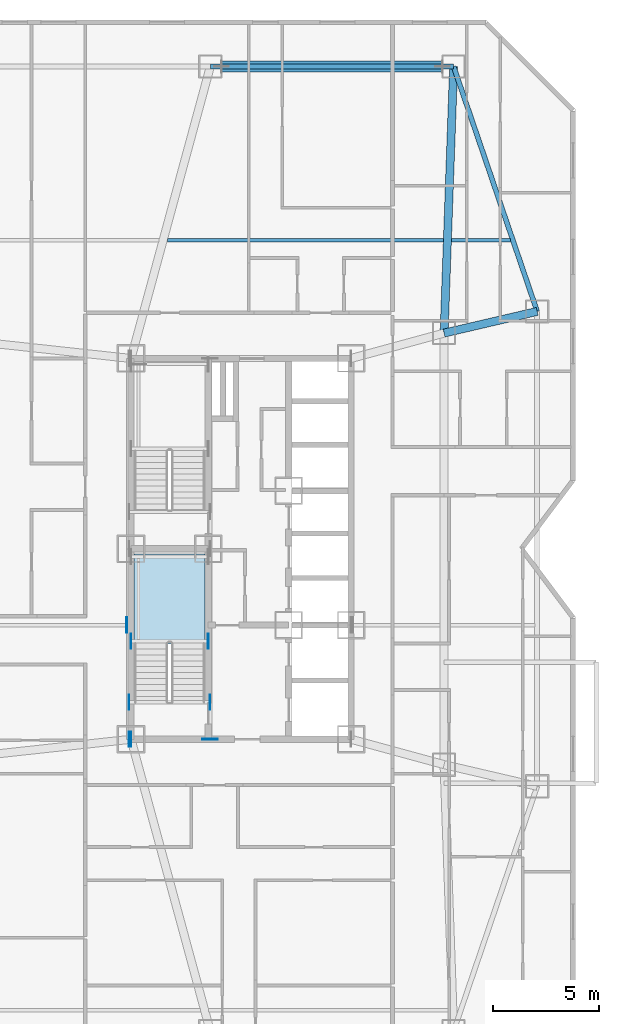
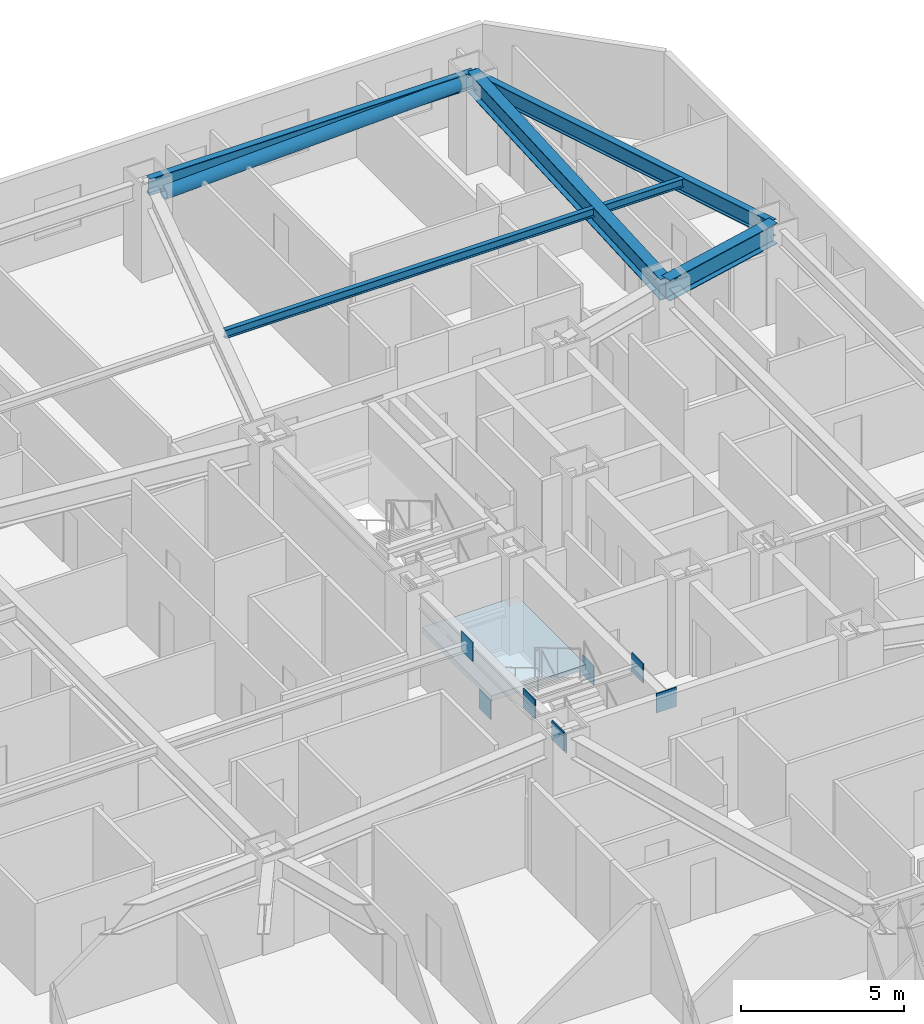
# One storey, part 2 of 14: 8 plates, 6 beams, 1 member, 1 slab, 1 element without a shape of its own.
"""IFC4 building model written with IfcOpenShell, lengths in metres."""

from ifc_helpers import new_model, si_unit, direction, frame, origin, origin_2d, place, context, subcontext, project, spatial, polyline, rectangle, hollow_circle, i_section, outline, extrude, material, layer, layer_set, material_profile, profile_set, type_object, element, aggregate, save


model = new_model("IFC4")

# Units and contexts
model_context = context("Model", 3, precision=1e-05, world=origin(), true_north=direction((0.0, 1.0)))
body_context = subcontext(model_context, "Body", "Model", "MODEL_VIEW")
ifc_project = project(units=[si_unit("LENGTHUNIT", "METRE"), si_unit("AREAUNIT", "SQUARE_METRE"), si_unit("VOLUMEUNIT", "CUBIC_METRE"), si_unit("PLANEANGLEUNIT", "RADIAN"), si_unit("MASSUNIT", "GRAM", prefix="KILO")], contexts=[model_context])

# Site, building, storey
site_placement = place(None, origin())
site = spatial("IfcSite", under=ifc_project, at=site_placement, CompositionType="ELEMENT")
building_placement = place(site_placement, origin())
building = spatial("IfcBuilding", under=site, at=building_placement, Name="Khamvora Tower", CompositionType="ELEMENT")
storey_placement = place(building_placement, frame((0.0, 0.0, 51.550048828125)))
storey = spatial("IfcBuildingStorey", under=building, at=storey_placement, Name="L12", CompositionType="ELEMENT", Elevation=51.550048828125)

# Beams
ifc_material_1 = material(Name="Steel S355", Category="steel")
ifc_material_profile_1 = material_profile(ifc_material_1, i_section(OverallWidth=0.166015625, OverallDepth=0.31298828125, WebThickness=0.007080078125, FlangeThickness=0.010986328125, FilletRadius=0.010009765625, at=origin_2d()), Name="W310x45")
ifc_profile_set_1 = profile_set([ifc_material_profile_1], Name="Steel S355")
beam_type_1 = type_object("IfcBeamType", Name="BM-JS-W310x45", PredefinedType="JOIST", material=ifc_profile_set_1)
beam_1_placement = place(storey_placement, frame((30.714111328125, 42.60009765625, 3.27294921875), z_axis=(1.0, 0.0, 0.0), x_axis=(0.0, 1.0, 0.0)))
element("IfcBeam", 1, at=beam_1_placement, inside=storey, type_object=beam_type_1, Name="L12 secondary floor joist 10", PredefinedType="JOIST", context=body_context, shape_type="SweptSolid", body=[
    extrude(i_section(OverallWidth=0.166015625, OverallDepth=0.31298828125, WebThickness=0.007080078125, FlangeThickness=0.010986328125, FilletRadius=0.010009765625, at=origin_2d()), origin(), (0.0, 0.0, 1.0), 13.057861328125),
])
beam_2_placement = place(storey_placement, frame((44.14306640625, 42.60009765625, 3.27294921875), z_axis=(1.0, 0.0, 0.0), x_axis=(0.0, 1.0, 0.0)))
element("IfcBeam", 2, at=beam_2_placement, inside=storey, type_object=beam_type_1, Name="L12 secondary floor joist 11", PredefinedType="JOIST", context=body_context, shape_type="SweptSolid", body=[
    extrude(i_section(OverallWidth=0.166015625, OverallDepth=0.31298828125, WebThickness=0.007080078125, FlangeThickness=0.010986328125, FilletRadius=0.010009765625, at=origin_2d()), origin(), (0.0, 0.0, 1.0), 2.788818359375),
])
ifc_material_profile_2 = material_profile(ifc_material_1, i_section(OverallWidth=0.381103515625, OverallDepth=0.77294921875, WebThickness=0.01708984375, FlangeThickness=0.027099609375, FilletRadius=0.01806640625, at=origin_2d()), Name="W760x257")
ifc_profile_set_2 = profile_set([ifc_material_profile_2], Name="Steel S355")
beam_type_2 = type_object("IfcBeamType", Name="BM-PG-W760x257", PredefinedType="BEAM", material=ifc_profile_set_2)
beam_3_placement = place(storey_placement, frame((43.800048828125, 38.199951171875, 3.04296875), z_axis=(0.035687386423, 0.999363002342, 0.0), x_axis=(-0.999363002342, 0.035687386423, 0.0)))
element("IfcBeam", 3, at=beam_3_placement, inside=storey, type_object=beam_type_2, Name="L12 primary floor girder N4", PredefinedType="BEAM", context=body_context, shape_type="SweptSolid", body=[
    extrude(i_section(OverallWidth=0.381103515625, OverallDepth=0.77294921875, WebThickness=0.01708984375, FlangeThickness=0.027099609375, FilletRadius=0.01806640625, at=origin_2d()), origin(), (0.0, 0.0, 1.0), 12.608154296875),
])
beam_4_placement = place(storey_placement, frame((43.800048828125, 38.199951171875, 3.04296875), z_axis=(0.973914503503, 0.226915270237, 0.0), x_axis=(-0.226915270237, 0.973914503503, 0.0)))
element("IfcBeam", 4, at=beam_4_placement, inside=storey, type_object=beam_type_2, Name="L12 primary floor girder E2", PredefinedType="BEAM", context=body_context, shape_type="SweptSolid", body=[
    extrude(i_section(OverallWidth=0.381103515625, OverallDepth=0.77294921875, WebThickness=0.01708984375, FlangeThickness=0.027099609375, FilletRadius=0.01806640625, at=origin_2d()), origin(), (0.0, 0.0, 1.0), 4.517822265625),
])
ifc_material_profile_3 = material_profile(ifc_material_1, i_section(OverallWidth=0.22998046875, OverallDepth=0.616943359375, WebThickness=0.012939453125, FlangeThickness=0.02197265625, FilletRadius=0.013916015625, at=origin_2d()), Name="W610x140")
ifc_profile_set_3 = profile_set([ifc_material_profile_3], Name="Steel S355")
beam_type_3 = type_object("IfcBeamType", Name="BM-SP-W610x140", PredefinedType="SPANDREL", material=ifc_profile_set_3)
beam_5_placement = place(storey_placement, frame((48.199951171875, 39.22509765625, 3.120849609375), z_axis=(-0.322962893199, 0.946411628002, 0.0), x_axis=(-0.946411628002, -0.322962893199, 0.0)))
element("IfcBeam", 5, at=beam_5_placement, inside=storey, type_object=beam_type_3, Name="L12 perimeter spandrel beam E2-N4", PredefinedType="SPANDREL", context=body_context, shape_type="SweptSolid", body=[
    extrude(i_section(OverallWidth=0.22998046875, OverallDepth=0.616943359375, WebThickness=0.012939453125, FlangeThickness=0.02197265625, FilletRadius=0.013916015625, at=origin_2d()), origin(), (0.0, 0.0, 1.0), 12.23046875),
])
beam_6_placement = place(storey_placement, frame((44.25, 50.800048828125, 3.120849609375), z_axis=(-1.0, 0.0, 0.0), x_axis=(0.0, -1.0, 0.0)))
element("IfcBeam", 6, at=beam_6_placement, inside=storey, type_object=beam_type_3, Name="L12 perimeter spandrel beam N4-N3", PredefinedType="SPANDREL", context=body_context, shape_type="SweptSolid", body=[
    extrude(i_section(OverallWidth=0.22998046875, OverallDepth=0.616943359375, WebThickness=0.012939453125, FlangeThickness=0.02197265625, FilletRadius=0.013916015625, at=origin_2d()), origin(), (0.0, 0.0, 1.0), 11.5),
])

# Member
ifc_material_2 = material(Name="Steel S460", Category="steel")
ifc_material_profile_4 = material_profile(ifc_material_2, hollow_circle(Radius=0.25390625, WallThickness=0.02490234375, at=origin_2d()), Name="CHS508x25")
ifc_profile_set_4 = profile_set([ifc_material_profile_4], Name="Steel S460")
member_type = type_object("IfcMemberType", Name="MEM-BR-CHS508", PredefinedType="BRACE", material=ifc_profile_set_4)
member_placement = place(storey_placement, frame((33.280029296875, 50.800048828125, 2.699951171875), z_axis=(0.999263588849, 0.0, 0.038370301036), x_axis=(0.0, 1.0, 0.0)))
element("IfcMember", 7, at=member_placement, inside=storey, type_object=member_type, Name="L12 perimeter wind brace 2", PredefinedType="BRACE", context=body_context, shape_type="SweptSolid", body=[
    extrude(hollow_circle(Radius=0.25390625, WallThickness=0.02490234375, at=origin_2d()), origin(), (0.0, 0.0, 1.0), 10.44775390625),
])

# Plates
ifc_layer_1 = layer(ifc_material_2, 0.034912109375)
ifc_layer_set_1 = layer_set([ifc_layer_1], Name="Steel S460")
plate_type = type_object("IfcPlateType", Name="PL-EMB-35", PredefinedType="SHEET", material=ifc_layer_set_1)
for number, where, z_axis, x_axis, name in (
    (8, (29.0, 23.635009765625, 1.1337890625), (0.0, 0.0, 1.0), (1.0, 0.0, 0.0), "L12 core shear wall cast-in embed plate 0366"),
    (9, (32.64990234375, 23.635009765625, 1.1337890625), (0.0, 0.0, 1.0), (1.0, 0.0, 0.0), "L12 core shear wall cast-in embed plate 0367"),
    (10, (29.0, 19.0, 2.68310546875), (0.0, 0.0, 1.0), (1.0, 0.0, 0.0), "L12 core shear wall cast-in embed plate 0375"),
    (11, (28.89990234375, 19.0, 2.802734375), (0.0, 0.0, 1.0), (1.0, 0.0, 0.0), "L12 core shear wall cast-in embed plate 0379"),
):
    element("IfcPlate", number, at=place(storey_placement, frame(where, z_axis=z_axis, x_axis=x_axis)), inside=storey, type_object=plate_type, Name=name, PredefinedType="SHEET", context=body_context, shape_type="SweptSolid", body=[
        extrude(rectangle(XDim=0.034912109375, YDim=0.719970703125, at=origin_2d()), origin(), (0.0, 0.0, 1.0), 0.719970703125),
    ])
plate_placement = place(storey_placement, frame((32.72998046875, 19.0, 2.802734375), z_axis=(0.0, 0.0, 1.0), x_axis=(1.0, 0.0, 0.0)))
element("IfcPlate", 12, at=plate_placement, inside=storey, type_object=plate_type, Name="L12 core shear wall cast-in embed plate 0382", PredefinedType="SHEET", context=body_context, shape_type="SweptSolid", body=[
    extrude(rectangle(XDim=0.719970703125, YDim=0.034912109375, at=origin_2d()), origin(), (0.0, 0.0, 1.0), 0.719970703125),
])
for number, where, z_axis, x_axis, name in (
    (13, (28.89990234375, 20.75, 2.94384765625), (0.0, 0.0, 1.0), (1.0, 0.0, 0.0), "L12 core shear wall cast-in embed plate 0388"),
    (14, (32.72998046875, 20.75, 2.94384765625), (0.0, 0.0, 1.0), (1.0, 0.0, 0.0), "L12 core shear wall cast-in embed plate 0389"),
    (15, (28.800048828125, 24.39990234375, 2.9130859375), (0.0, 0.0, 1.0), (1.0, 0.0, 0.0), "L12 core shear wall cast-in embed plate 0392"),
):
    element("IfcPlate", number, at=place(storey_placement, frame(where, z_axis=z_axis, x_axis=x_axis)), inside=storey, type_object=plate_type, Name=name, PredefinedType="SHEET", context=body_context, shape_type="SweptSolid", body=[
        extrude(rectangle(XDim=0.034912109375, YDim=0.719970703125, at=origin_2d()), origin(), (0.0, 0.0, 1.0), 0.719970703125),
    ])

# Stair, slab
ifc_material_3 = material(Name="Concrete C40/50", Category="concrete")
stair_type = type_object("IfcStairType", Name="STR-ST-01", PredefinedType="HALF_TURN_STAIR", material=ifc_material_3)
stair_placement = place(storey_placement, origin())
stair = element("IfcStair", 16, at=stair_placement, inside=storey, type_object=stair_type, Name="L12 South Tower Exit Stair ST-01", PredefinedType="HALF_TURN_STAIR")
ifc_layer_2 = layer(ifc_material_3, 0.199951171875)
ifc_layer_set_2 = layer_set([ifc_layer_2], Name="Concrete C40/50")
slab_type = type_object("IfcSlabType", Name="SLB-LND-200", PredefinedType="LANDING", material=ifc_layer_set_2)
slab_placement = place(storey_placement, frame((0.0, 0.0, 1.625)))
slab = element("IfcSlab", 17, at=slab_placement, type_object=slab_type, Name="ST-01 landing 1", PredefinedType="LANDING", context=body_context, shape_type="SweptSolid", body=[
    extrude(outline(polyline([(32.5, 23.514892578125), (32.5, 27.75), (29.14990234375, 27.75), (29.14990234375, 23.514892578125), (32.5, 23.514892578125)])), origin(), (0.0, 0.0, 1.0), 0.199951171875),
])
aggregate(stair, [slab])

save(model, "model.ifc")
